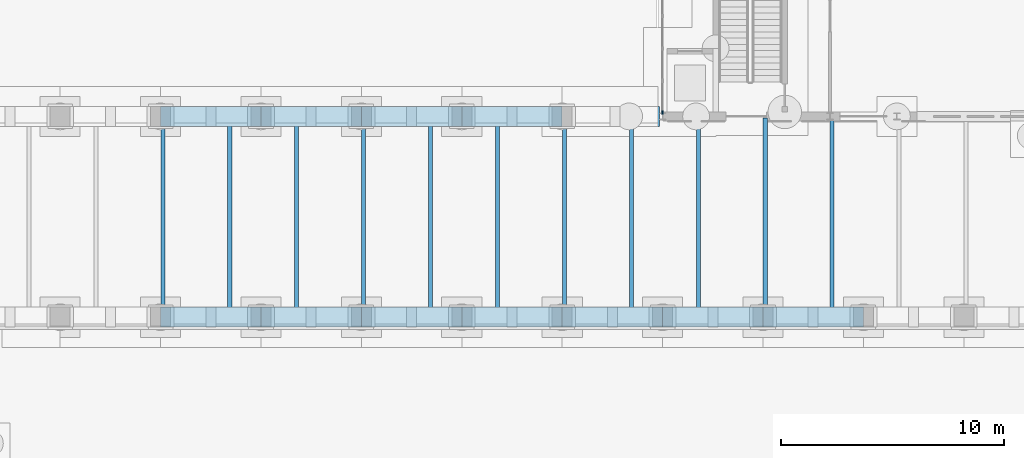
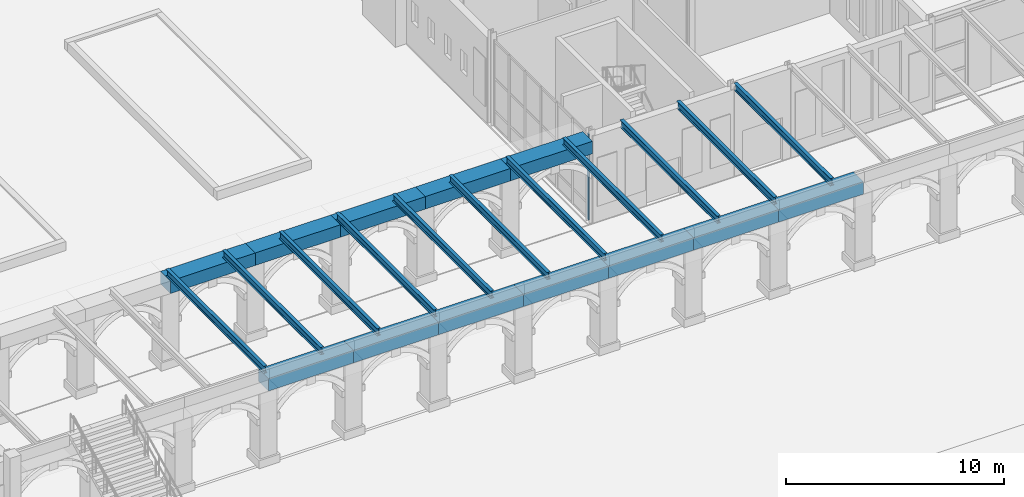
# One storey, part 37 of 168: 23 beams, 1 member, 1 element without a shape of its own.
"""IFC4 building model written with IfcOpenShell, lengths in metres."""

from ifc_helpers import new_model, si_unit, direction, frame, origin, origin_2d, place, context, subcontext, project, spatial, rectangle, i_section, extrude, material, layer, layer_set, material_profile, profile_set, type_object, element, aggregate, save


model = new_model("IFC4")

# Units and contexts
model_context = context("Model", 3, precision=1e-05, world=origin(), true_north=direction((0.0, 1.0)))
body_context = subcontext(model_context, "Body", "Model", "MODEL_VIEW")
ifc_project = project(units=[si_unit("LENGTHUNIT", "METRE"), si_unit("AREAUNIT", "SQUARE_METRE"), si_unit("VOLUMEUNIT", "CUBIC_METRE"), si_unit("PLANEANGLEUNIT", "RADIAN"), si_unit("MASSUNIT", "GRAM", prefix="KILO")], contexts=[model_context])

# Site, building, storey
site_placement = place(None, origin())
site = spatial("IfcSite", under=ifc_project, at=site_placement, CompositionType="ELEMENT")
building_placement = place(site_placement, origin())
building = spatial("IfcBuilding", under=site, at=building_placement, Name="Golden Quay Civic Hall", CompositionType="ELEMENT")
storey_placement = place(building_placement, origin())
storey = spatial("IfcBuildingStorey", under=building, at=storey_placement, Name="L00", CompositionType="ELEMENT", Elevation=0.0)

# Curtain wall, member
ifc_material_1 = material(Name="Glass, laminated double glazed", Category="glass")
ifc_layer = layer(ifc_material_1, 0.199951171875)
ifc_layer_set = layer_set([ifc_layer], Name="Glazed core strip curtain wall")
curtain_wall_type = type_object("IfcCurtainWallType", Name="Glazed core strip curtain wall", PredefinedType="NOTDEFINED", material=ifc_layer_set)
curtain_wall_placement = place(storey_placement, origin())
curtain_wall = element("IfcCurtainWall", 1, at=curtain_wall_placement, inside=storey, type_object=curtain_wall_type, Name="Glazed core strip curtain wall L00 3", PredefinedType="NOTDEFINED")
ifc_material_2 = material(Name="Aluminium, anodised", Category="aluminium")
ifc_material_profile_1 = material_profile(ifc_material_2, rectangle(XDim=0.06005859375, YDim=0.159912109375, at=origin_2d()), Name="Aluminium 60 x 160")
ifc_profile_set_1 = profile_set([ifc_material_profile_1], Name="Aluminium, anodised")
member_type = type_object("IfcMemberType", Name="Aluminium mullion 60 x 160", PredefinedType="MULLION", material=ifc_profile_set_1)
member_placement = place(storey_placement, frame((54.0, 0.175048828125, 0.0), z_axis=(0.0, 0.0, 1.0), x_axis=(-1.0, 0.0, 0.0)))
member = element("IfcMember", 2, at=member_placement, type_object=member_type, Name="CW2 mullion 1", PredefinedType="MULLION", context=body_context, shape_type="SweptSolid", body=[
    extrude(rectangle(XDim=0.06005859375, YDim=0.159912109375, at=origin_2d()), origin(), (0.0, 0.0, 1.0), 4.800048828125),
])
aggregate(curtain_wall, [member])

# Beams
ifc_material_3 = material(Name="Concrete C40/50", Category="concrete")
ifc_material_profile_2 = material_profile(ifc_material_3, rectangle(XDim=0.89990234375, YDim=0.699951171875, at=origin_2d()), Name="RC 900x700")
ifc_profile_set_2 = profile_set([ifc_material_profile_2], Name="Concrete C40/50")
beam_type_1 = type_object("IfcBeamType", Name="Concrete spandrel beam RC 900x700", PredefinedType="SPANDREL", material=ifc_profile_set_2)
for number, where, z_axis, x_axis, name in (
    (3, (31.5, -9.0, 4.449951171875), (1.0, 0.0, 0.0), (0.0, 1.0, 0.0), "Spandrel beam outer bay 4"),
    (4, (36.0, -9.0, 4.449951171875), (1.0, 0.0, 0.0), (0.0, 1.0, 0.0), "Spandrel beam outer bay 5"),
    (5, (40.5, -9.0, 4.449951171875), (1.0, 0.0, 0.0), (0.0, 1.0, 0.0), "Spandrel beam outer bay 6"),
    (6, (45.0, -9.0, 4.449951171875), (1.0, 0.0, 0.0), (0.0, 1.0, 0.0), "Spandrel beam outer bay 7"),
    (7, (49.5, -9.0, 4.449951171875), (1.0, 0.0, 0.0), (0.0, 1.0, 0.0), "Spandrel beam outer bay 8"),
    (8, (54.0, -9.0, 4.449951171875), (1.0, 0.0, 0.0), (0.0, 1.0, 0.0), "Spandrel beam outer bay 9"),
    (9, (58.5, -9.0, 4.449951171875), (1.0, 0.0, 0.0), (0.0, 1.0, 0.0), "Spandrel beam outer bay 10"),
    (10, (31.5, 0.0, 4.449951171875), (1.0, 0.0, 0.0), (0.0, 1.0, 0.0), "Spandrel beam inner0 bay 4"),
    (11, (36.0, 0.0, 4.449951171875), (1.0, 0.0, 0.0), (0.0, 1.0, 0.0), "Spandrel beam inner0 bay 5"),
    (12, (40.5, 0.0, 4.449951171875), (1.0, 0.0, 0.0), (0.0, 1.0, 0.0), "Spandrel beam inner0 bay 6"),
    (13, (45.0, 0.0, 4.449951171875), (1.0, 0.0, 0.0), (0.0, 1.0, 0.0), "Spandrel beam inner0 bay 7"),
):
    element("IfcBeam", number, at=place(storey_placement, frame(where, z_axis=z_axis, x_axis=x_axis)), inside=storey, type_object=beam_type_1, Name=name, PredefinedType="SPANDREL", context=body_context, shape_type="SweptSolid", body=[
        extrude(rectangle(XDim=0.89990234375, YDim=0.699951171875, at=origin_2d()), origin(), (0.0, 0.0, 1.0), 4.5),
    ])
beam_1_placement = place(storey_placement, frame((49.5, 0.0, 4.449951171875), z_axis=(1.0, 0.0, 0.0), x_axis=(0.0, 1.0, 0.0)))
element("IfcBeam", 14, at=beam_1_placement, inside=storey, type_object=beam_type_1, Name="Spandrel beam inner0 bay 8", PredefinedType="SPANDREL", context=body_context, shape_type="SweptSolid", body=[
    extrude(rectangle(XDim=0.89990234375, YDim=0.699951171875, at=origin_2d()), origin(), (0.0, 0.0, 1.0), 4.360107421875),
])
ifc_material_4 = material(Name="Steel S355", Category="steel")
ifc_material_profile_3 = material_profile(ifc_material_4, i_section(OverallWidth=0.179931640625, OverallDepth=0.39990234375, WebThickness=0.008544921875, FlangeThickness=0.013427734375, FilletRadius=0.02099609375, at=origin_2d()), Name="IPE 400")
ifc_profile_set_3 = profile_set([ifc_material_profile_3], Name="Steel S355")
beam_type_2 = type_object("IfcBeamType", Name="Steel terrace beam IPE 400", PredefinedType="JOIST", material=ifc_profile_set_3)
for number, where, z_axis, x_axis, name in (
    (15, (31.60009765625, -9.0, 5.0), (0.0, 1.0, 0.0), (-1.0, 0.0, 0.0), "Terrace beam 4"),
    (16, (34.60009765625, -9.0, 5.0), (0.0, 1.0, 0.0), (-1.0, 0.0, 0.0), "Terrace beam 5"),
    (17, (37.60009765625, -9.0, 5.0), (0.0, 1.0, 0.0), (-1.0, 0.0, 0.0), "Terrace beam 6"),
    (18, (40.60009765625, -9.0, 5.0), (0.0, 1.0, 0.0), (-1.0, 0.0, 0.0), "Terrace beam 7"),
    (19, (43.60009765625, -9.0, 5.0), (0.0, 1.0, 0.0), (-1.0, 0.0, 0.0), "Terrace beam 8"),
    (20, (46.60009765625, -9.0, 5.0), (0.0, 1.0, 0.0), (-1.0, 0.0, 0.0), "Terrace beam 9"),
    (21, (49.60009765625, -9.0, 5.0), (0.0, 1.0, 0.0), (-1.0, 0.0, 0.0), "Terrace beam 10"),
    (22, (52.60009765625, -9.0, 5.0), (0.0, 1.0, 0.0), (-1.0, 0.0, 0.0), "Terrace beam 11"),
):
    element("IfcBeam", number, at=place(storey_placement, frame(where, z_axis=z_axis, x_axis=x_axis)), inside=storey, type_object=beam_type_2, Name=name, PredefinedType="JOIST", context=body_context, shape_type="SweptSolid", body=[
        extrude(i_section(OverallWidth=0.179931640625, OverallDepth=0.39990234375, WebThickness=0.008544921875, FlangeThickness=0.013427734375, FilletRadius=0.02099609375, at=origin_2d()), origin(), (0.0, 0.0, 1.0), 9.0),
    ])
for number, where, z_axis, x_axis, name in (
    (23, (55.60009765625, -9.0, 5.0), (0.0, 1.0, 0.0), (-1.0, 0.0, 0.0), "Terrace beam 12"),
    (24, (58.60009765625, -9.0, 5.0), (0.0, 1.0, 0.0), (-1.0, 0.0, 0.0), "Terrace beam 13"),
):
    element("IfcBeam", number, at=place(storey_placement, frame(where, z_axis=z_axis, x_axis=x_axis)), inside=storey, type_object=beam_type_2, Name=name, PredefinedType="JOIST", context=body_context, shape_type="SweptSolid", body=[
        extrude(i_section(OverallWidth=0.179931640625, OverallDepth=0.39990234375, WebThickness=0.008544921875, FlangeThickness=0.013427734375, FilletRadius=0.02099609375, at=origin_2d()), origin(), (0.0, 0.0, 1.0), 8.919921875),
    ])
beam_2_placement = place(storey_placement, frame((61.60009765625, -9.0, 5.0), z_axis=(0.0, 1.0, 0.0), x_axis=(-1.0, 0.0, 0.0)))
element("IfcBeam", 25, at=beam_2_placement, inside=storey, type_object=beam_type_2, Name="Terrace beam 14", PredefinedType="JOIST", context=body_context, shape_type="SweptSolid", body=[
    extrude(i_section(OverallWidth=0.179931640625, OverallDepth=0.39990234375, WebThickness=0.008544921875, FlangeThickness=0.013427734375, FilletRadius=0.02099609375, at=origin_2d()), origin(), (0.0, 0.0, 1.0), 8.85009765625),
])

save(model, "model.ifc")
